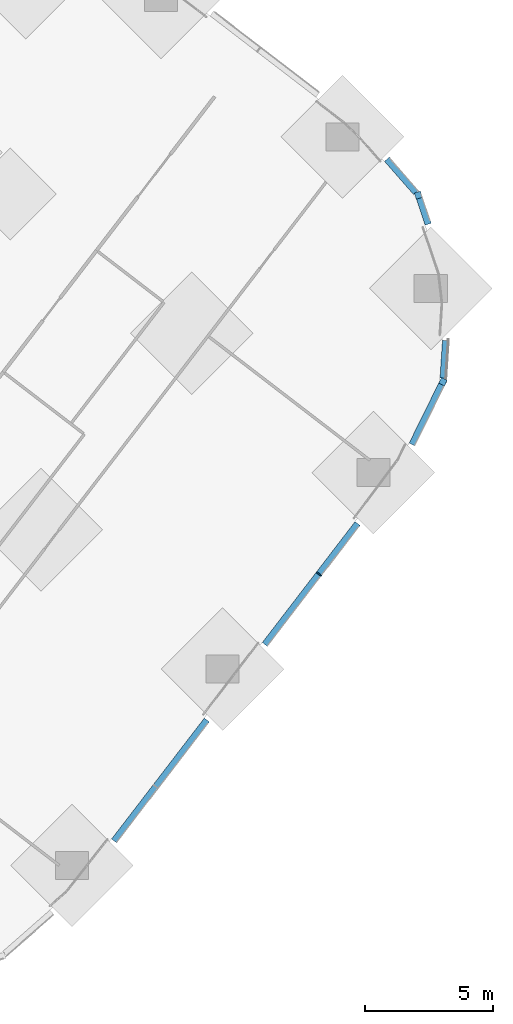
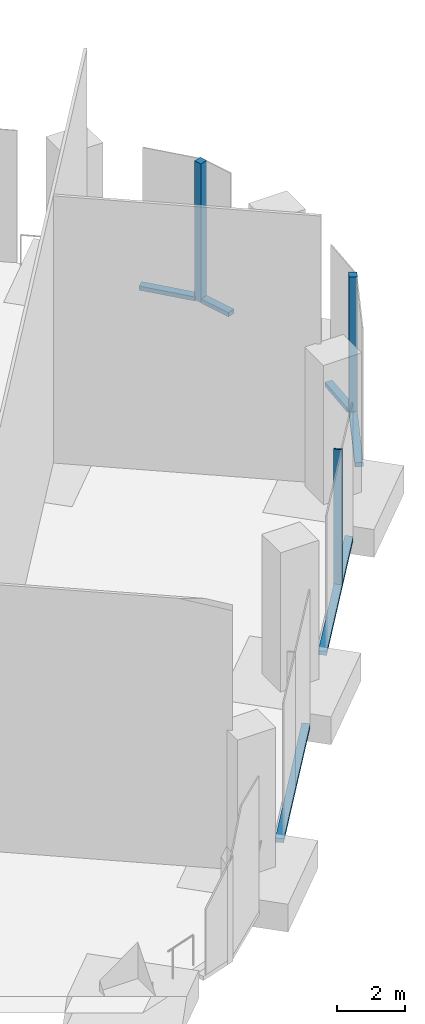
# One storey, part 8 of 27: 9 members, 5 elements without a shape of their own.
"""IFC4 building model written with IfcOpenShell, lengths in metres."""

from ifc_helpers import new_model, si_unit, direction, frame, origin, origin_2d, place, context, subcontext, project, spatial, rectangle, extrude, material, material_profile, profile_set, type_object, element, aggregate, save


model = new_model("IFC4")

# Units and contexts
model_context = context("Model", 3, precision=1e-05, world=origin(), true_north=direction((0.0, 1.0)))
body_context = subcontext(model_context, "Body", "Model", "MODEL_VIEW")
ifc_project = project(units=[si_unit("LENGTHUNIT", "METRE"), si_unit("AREAUNIT", "SQUARE_METRE"), si_unit("VOLUMEUNIT", "CUBIC_METRE"), si_unit("PLANEANGLEUNIT", "RADIAN"), si_unit("MASSUNIT", "GRAM", prefix="KILO")], contexts=[model_context])

# Site, building, storey
site_placement = place(None, origin())
site = spatial("IfcSite", under=ifc_project, at=site_placement, CompositionType="ELEMENT")
building_placement = place(site_placement, origin())
building = spatial("IfcBuilding", under=site, at=building_placement, Name="Orlundy Tower", CompositionType="ELEMENT")
storey_placement = place(building_placement, frame((0.0, 0.0, 10.5)))
storey = spatial("IfcBuildingStorey", under=building, at=storey_placement, Name="L01", CompositionType="ELEMENT", Elevation=10.5)

# Curtain wall, member
ifc_material_1 = material(Name="Aluminium bronze anodised", Category="aluminium")
curtain_wall_type = type_object("IfcCurtainWallType", Name="CW2 wall", PredefinedType="NOTDEFINED", material=ifc_material_1)
curtain_wall_1_placement = place(storey_placement, origin())
curtain_wall_1 = element("IfcCurtainWall", 1, at=curtain_wall_1_placement, inside=storey, type_object=curtain_wall_type, Name="CW2 run 020", PredefinedType="NOTDEFINED")
ifc_material_2 = material(Name="Aluminium bronze anodised", Category="aluminium")
ifc_material_profile_1 = material_profile(ifc_material_2, rectangle(XDim=0.25, YDim=0.25, at=origin_2d()), Name="CW2 corner post 250x250")
ifc_profile_set_1 = profile_set([ifc_material_profile_1], Name="Aluminium bronze anodised")
member_type_1 = type_object("IfcMemberType", Name="CW2 corner post 250x250", PredefinedType="MULLION", material=ifc_profile_set_1)
member_1_placement = place(storey_placement, frame((55.1904296875, -17.9033203125, -0.39990234375), z_axis=(0.0, 0.0, 1.0), x_axis=(0.946887788144, 0.321564171921, 0.0)))
member_1 = element("IfcMember", 2, at=member_1_placement, type_object=member_type_1, Name="CW2 mullion 58", PredefinedType="MULLION", context=body_context, shape_type="SweptSolid", body=[
    extrude(rectangle(XDim=0.25, YDim=0.25, at=origin_2d()), origin(), (0.0, 0.0, 1.0), 5.0),
])

curtain_wall_2_placement = place(storey_placement, origin())
curtain_wall_2 = element("IfcCurtainWall", 3, at=curtain_wall_2_placement, inside=storey, type_object=curtain_wall_type, Name="CW2 run 022", PredefinedType="NOTDEFINED")
member_2_placement = place(storey_placement, frame((56.152099609375, -25.2080078125, -0.39990234375), z_axis=(0.0, 0.0, 1.0), x_axis=(0.896948547323, -0.442134938063, 0.0)))
member_2 = element("IfcMember", 4, at=member_2_placement, type_object=member_type_1, Name="CW2 mullion 60", PredefinedType="MULLION", context=body_context, shape_type="SweptSolid", body=[
    extrude(rectangle(XDim=0.25, YDim=0.25, at=origin_2d()), origin(), (0.0, 0.0, 1.0), 5.0),
])

curtain_wall_3_placement = place(storey_placement, origin())
curtain_wall_3 = element("IfcCurtainWall", 5, at=curtain_wall_3_placement, inside=storey, type_object=curtain_wall_type, Name="CW2 run 023", PredefinedType="NOTDEFINED")
ifc_material_3 = material(Name="Aluminium bronze anodised", Category="aluminium")
ifc_material_profile_2 = material_profile(ifc_material_3, rectangle(XDim=0.25, YDim=0.050048828125, at=origin_2d()), Name="CW2 mullion 50x250")
ifc_profile_set_2 = profile_set([ifc_material_profile_2], Name="Aluminium bronze anodised")
member_type_2 = type_object("IfcMemberType", Name="CW2 mullion 50x250", PredefinedType="MULLION", material=ifc_profile_set_2)
member_3_placement = place(storey_placement, frame((51.293212890625, -32.7412109375, -0.39990234375), z_axis=(0.0, 0.0, 1.0), x_axis=(0.793345695949, -0.60877139118, 0.0)))
member_3 = element("IfcMember", 6, at=member_3_placement, type_object=member_type_2, Name="CW2 mullion 62", PredefinedType="MULLION", context=body_context, shape_type="SweptSolid", body=[
    extrude(rectangle(XDim=0.25, YDim=0.050048828125, at=origin_2d()), origin(), (0.0, 0.0, 1.0), 5.0),
])

curtain_wall_4_placement = place(storey_placement, origin())
curtain_wall_4 = element("IfcCurtainWall", 7, at=curtain_wall_4_placement, inside=storey, type_object=curtain_wall_type, Name="CW2 run 019", PredefinedType="NOTDEFINED")
ifc_material_4 = material(Name="Aluminium bronze anodised", Category="aluminium")
ifc_material_profile_3 = material_profile(ifc_material_4, rectangle(XDim=0.25, YDim=0.14990234375, at=origin_2d()), Name="CW2 transom 250x150")
ifc_profile_set_3 = profile_set([ifc_material_profile_3], Name="Aluminium bronze anodised")
member_type_3 = type_object("IfcMemberType", Name="CW2 transom 250x150", PredefinedType="USERDEFINED", material=ifc_profile_set_3)
member_4_placement = place(storey_placement, frame((53.954833984375, -16.494384765625, -0.324951171875), z_axis=(0.659319461905, -0.751862917794, 0.0), x_axis=(0.751862917794, 0.659319461905, 0.0)))
member_4 = element("IfcMember", 8, at=member_4_placement, type_object=member_type_3, Name="CW2 transom", ObjectType="TRANSOM", PredefinedType="USERDEFINED", context=body_context, shape_type="SweptSolid", body=[
    extrude(rectangle(XDim=0.25, YDim=0.14990234375, at=origin_2d()), origin(), (0.0, 0.0, 1.0), 1.738525390625),
])
aggregate(curtain_wall_4, [member_4])

# Member
member_5_placement = place(storey_placement, frame((55.23046875, -18.021728515625, -0.324951171875), z_axis=(0.321605479234, -0.946873759129, 0.0), x_axis=(0.946873759129, 0.321605479234, 0.0)))
member_5 = element("IfcMember", 9, at=member_5_placement, type_object=member_type_3, Name="CW2 transom", ObjectType="TRANSOM", PredefinedType="USERDEFINED", context=body_context, shape_type="SweptSolid", body=[
    extrude(rectangle(XDim=0.25, YDim=0.14990234375, at=origin_2d()), origin(), (0.0, 0.0, 1.0), 1.074951171875),
])

aggregate(curtain_wall_1, [member_1, member_5])

# Curtain wall, member
curtain_wall_5_placement = place(storey_placement, origin())
curtain_wall_5 = element("IfcCurtainWall", 10, at=curtain_wall_5_placement, inside=storey, type_object=curtain_wall_type, Name="CW2 run 021", PredefinedType="NOTDEFINED")
member_6_placement = place(storey_placement, frame((56.258544921875, -23.58984375, -0.324951171875), z_axis=(-0.065701355175, -0.99783933172, 0.0), x_axis=(0.99783933172, -0.065701355175, 0.0)))
member_6 = element("IfcMember", 11, at=member_6_placement, type_object=member_type_3, Name="CW2 transom", ObjectType="TRANSOM", PredefinedType="USERDEFINED", context=body_context, shape_type="SweptSolid", body=[
    extrude(rectangle(XDim=0.25, YDim=0.14990234375, at=origin_2d()), origin(), (0.0, 0.0, 1.0), 1.486328125),
])
aggregate(curtain_wall_5, [member_6])

# Member
member_7_placement = place(storey_placement, frame((56.096923828125, -25.320068359375, -0.324951171875), z_axis=(-0.442165969964, -0.896933250028, 0.0), x_axis=(0.896933250028, -0.442165969964, 0.0)))
member_7 = element("IfcMember", 12, at=member_7_placement, type_object=member_type_3, Name="CW2 transom", ObjectType="TRANSOM", PredefinedType="USERDEFINED", context=body_context, shape_type="SweptSolid", body=[
    extrude(rectangle(XDim=0.25, YDim=0.14990234375, at=origin_2d()), origin(), (0.0, 0.0, 1.0), 2.615478515625),
])

aggregate(curtain_wall_2, [member_2, member_7])

member_8_placement = place(storey_placement, frame((52.808349609375, -30.7666015625, -0.324951171875), z_axis=(-0.608779272296, -0.793339648336, 0.0), x_axis=(0.793339648336, -0.608779272296, 0.0)))
member_8 = element("IfcMember", 13, at=member_8_placement, type_object=member_type_3, Name="CW2 transom", ObjectType="TRANSOM", PredefinedType="USERDEFINED", context=body_context, shape_type="SweptSolid", body=[
    extrude(rectangle(XDim=0.25, YDim=0.14990234375, at=origin_2d()), origin(), (0.0, 0.0, 1.0), 5.968505859375),
])

member_9_placement = place(storey_placement, frame((46.903076171875, -38.46240234375, -0.324951171875), z_axis=(-0.608787050578, -0.793333679512, 0.0), x_axis=(0.793333679512, -0.608787050578, 0.0)))
member_9 = element("IfcMember", 14, at=member_9_placement, type_object=member_type_3, Name="CW2 transom", ObjectType="TRANSOM", PredefinedType="USERDEFINED", context=body_context, shape_type="SweptSolid", body=[
    extrude(rectangle(XDim=0.25, YDim=0.14990234375, at=origin_2d()), origin(), (0.0, 0.0, 1.0), 5.9677734375),
])

aggregate(curtain_wall_3, [member_3, member_8, member_9])

save(model, "model.ifc")
